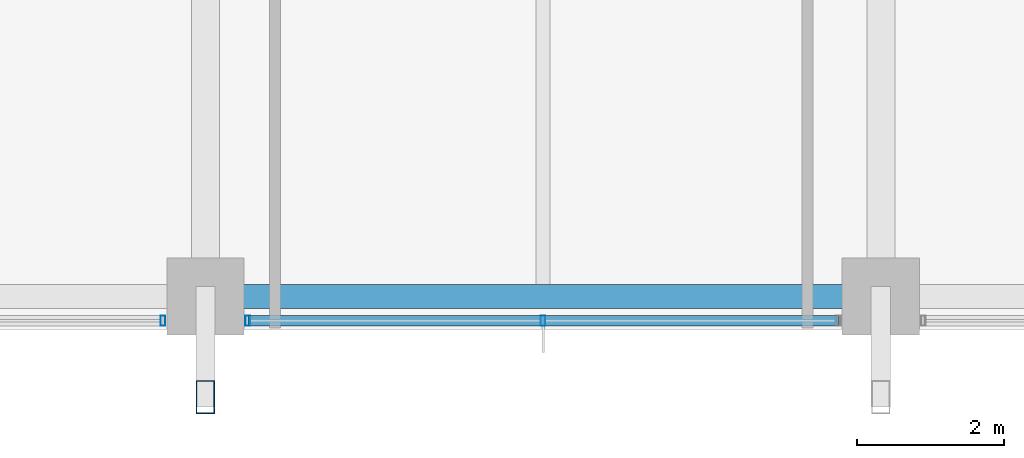
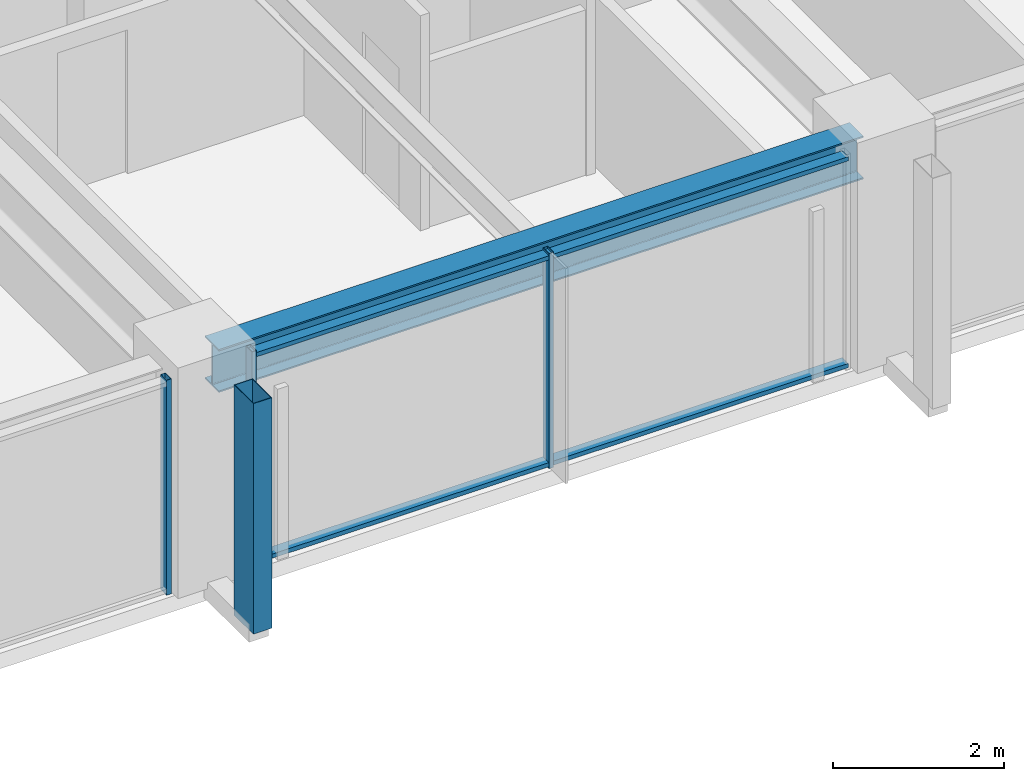
# One storey, part 4 of 37: 6 members, 1 beam, 2 elements without a shape of their own.
"""IFC4 building model written with IfcOpenShell, lengths in metres."""

from ifc_helpers import new_model, si_unit, direction, frame, origin, origin_2d, place, context, subcontext, project, spatial, hollow_rectangle, i_section, extrude, material, material_profile, profile_set, type_object, element, aggregate, save


model = new_model("IFC4")

# Units and contexts
model_context = context("Model", 3, precision=1e-05, world=origin(), true_north=direction((0.0, 1.0)))
body_context = subcontext(model_context, "Body", "Model", "MODEL_VIEW")
ifc_project = project(units=[si_unit("LENGTHUNIT", "METRE"), si_unit("AREAUNIT", "SQUARE_METRE"), si_unit("VOLUMEUNIT", "CUBIC_METRE"), si_unit("PLANEANGLEUNIT", "RADIAN"), si_unit("MASSUNIT", "GRAM", prefix="KILO")], contexts=[model_context])

# Site, building, storey
site_placement = place(None, origin())
site = spatial("IfcSite", under=ifc_project, at=site_placement, CompositionType="ELEMENT")
building_placement = place(site_placement, origin())
building = spatial("IfcBuilding", under=site, at=building_placement, Name="Kolvaren Belvedere", CompositionType="ELEMENT")
storey_placement = place(building_placement, frame((0.0, 0.0, 75.5)))
storey = spatial("IfcBuildingStorey", under=building, at=storey_placement, Name="L21", CompositionType="ELEMENT", Elevation=75.5)

# Beam
ifc_material_1 = material(Name="Structural steel ASTM A992 Grade 50", Category="steel")
ifc_material_profile_1 = material_profile(ifc_material_1, i_section(OverallWidth=0.324951171875, OverallDepth=0.615966796875, WebThickness=0.013916015625, FlangeThickness=0.021484375, FilletRadius=0.02001953125, at=origin_2d()), Name="W24X117")
ifc_profile_set_1 = profile_set([ifc_material_profile_1], Name="Structural steel ASTM A992 Grade 50")
beam_type = type_object("IfcBeamType", Name="BM-SPAN-W24X117", PredefinedType="SPANDREL", material=ifc_profile_set_1)
beam_placement = place(storey_placement, frame((-4.36376953125, -19.949951171875, 2.77197265625), z_axis=(1.0, 0.0, 0.0), x_axis=(0.0, 1.0, 0.0)))
element("IfcBeam", 1, at=beam_placement, inside=storey, type_object=beam_type, Name="L21 Perimeter Spandrel S2-S3", PredefinedType="SPANDREL", context=body_context, shape_type="SweptSolid", body=[
    extrude(i_section(OverallWidth=0.324951171875, OverallDepth=0.615966796875, WebThickness=0.013916015625, FlangeThickness=0.021484375, FilletRadius=0.02001953125, at=origin_2d()), origin(), (0.0, 0.0, 1.0), 8.7275390625),
])

# Curtain wall, members
ifc_material_2 = material(Name="Anodised pale-metal aluminium AA 6063-T6", Category="aluminium")
curtain_wall_type = type_object("IfcCurtainWallType", Name="CW-Z2-MID", PredefinedType="NOTDEFINED", material=ifc_material_2)
curtain_wall_1_placement = place(storey_placement, origin())
curtain_wall_1 = element("IfcCurtainWall", 2, at=curtain_wall_1_placement, inside=storey, type_object=curtain_wall_type, Name="L21 Unitised Curtain Wall FCW-L21-S-B2", PredefinedType="NOTDEFINED")
ifc_material_3 = material(Name="Anodised pale-metal aluminium AA 6063-T6", Category="aluminium")
ifc_material_profile_2 = material_profile(ifc_material_3, hollow_rectangle(XDim=0.06494140625, YDim=0.139892578125, WallThickness=0.00390625, at=origin_2d()), Name="ALU-MUL-140X65")
ifc_profile_set_2 = profile_set([ifc_material_profile_2], Name="Anodised pale-metal aluminium AA 6063-T6")
member_type_1 = type_object("IfcMemberType", Name="CW-MUL-140", PredefinedType="MULLION", material=ifc_profile_set_2)
member_1_placement = place(storey_placement, frame((0.0, -20.280029296875, 0.0), z_axis=(0.0, 0.0, 1.0), x_axis=(1.0, 0.0, 0.0)))
member_1 = element("IfcMember", 3, at=member_1_placement, type_object=member_type_1, Name="FCW-L21-S-B2 Unitised Mullion 2", PredefinedType="MULLION", context=body_context, shape_type="SweptSolid", body=[
    extrude(hollow_rectangle(XDim=0.06494140625, YDim=0.139892578125, WallThickness=0.00390625, at=origin_2d()), origin(), (0.0, 0.0, 1.0), 3.080078125),
])
member_2_placement = place(storey_placement, frame((-4.0224609375, -20.280029296875, 0.0), z_axis=(0.0, 0.0, 1.0), x_axis=(1.0, 0.0, 0.0)))
member_2 = element("IfcMember", 4, at=member_2_placement, type_object=member_type_1, Name="FCW-L21-S-B2 Unitised Mullion 3", PredefinedType="MULLION", context=body_context, shape_type="SweptSolid", body=[
    extrude(hollow_rectangle(XDim=0.06494140625, YDim=0.139892578125, WallThickness=0.00390625, at=origin_2d()), origin(), (0.0, 0.0, 1.0), 3.080078125),
])

# Curtain wall, member
curtain_wall_2_placement = place(storey_placement, origin())
curtain_wall_2 = element("IfcCurtainWall", 5, at=curtain_wall_2_placement, inside=storey, type_object=curtain_wall_type, Name="L21 Unitised Curtain Wall FCW-L21-S-B3", PredefinedType="NOTDEFINED")
member_3_placement = place(storey_placement, frame((-5.177490234375, -20.280029296875, 0.0), z_axis=(0.0, 0.0, 1.0), x_axis=(1.0, 0.0, 0.0)))
member_3 = element("IfcMember", 6, at=member_3_placement, type_object=member_type_1, Name="FCW-L21-S-B3 Unitised Mullion 1", PredefinedType="MULLION", context=body_context, shape_type="SweptSolid", body=[
    extrude(hollow_rectangle(XDim=0.06494140625, YDim=0.139892578125, WallThickness=0.00390625, at=origin_2d()), origin(), (0.0, 0.0, 1.0), 3.080078125),
])
aggregate(curtain_wall_2, [member_3])

# Member
ifc_material_4 = material(Name="Anodised pale-metal aluminium AA 6063-T6", Category="aluminium")
ifc_material_profile_3 = material_profile(ifc_material_4, hollow_rectangle(XDim=0.06005859375, YDim=0.139892578125, WallThickness=0.00390625, at=origin_2d()), Name="ALU-TRN-140X60")
ifc_profile_set_3 = profile_set([ifc_material_profile_3], Name="Anodised pale-metal aluminium AA 6063-T6")
member_type_2 = type_object("IfcMemberType", Name="CW-TRN-140", PredefinedType="USERDEFINED", material=ifc_profile_set_3)
member_4_placement = place(storey_placement, frame((4.0224609375, -20.280029296875, 0.06005859375), z_axis=(-1.0, 0.0, 0.0), x_axis=(0.0, 0.0, 1.0)))
member_4 = element("IfcMember", 7, at=member_4_placement, type_object=member_type_2, Name="FCW-L21-S-B2 Sill Transom", ObjectType="TRANSOM", PredefinedType="USERDEFINED", context=body_context, shape_type="SweptSolid", body=[
    extrude(hollow_rectangle(XDim=0.06005859375, YDim=0.139892578125, WallThickness=0.00390625, at=origin_2d()), origin(), (0.0, 0.0, 1.0), 8.044921875),
])

member_5_placement = place(storey_placement, frame((4.0224609375, -20.280029296875, 3.02001953125), z_axis=(-1.0, 0.0, 0.0), x_axis=(0.0, 0.0, 1.0)))
member_5 = element("IfcMember", 8, at=member_5_placement, type_object=member_type_2, Name="FCW-L21-S-B2 Head Transom", ObjectType="TRANSOM", PredefinedType="USERDEFINED", context=body_context, shape_type="SweptSolid", body=[
    extrude(hollow_rectangle(XDim=0.06005859375, YDim=0.139892578125, WallThickness=0.00390625, at=origin_2d()), origin(), (0.0, 0.0, 1.0), 8.044921875),
])

aggregate(curtain_wall_1, [member_1, member_2, member_4, member_5])

ifc_material_5 = material(Name="Anodised pale-metal aluminium AA 6063-T6", Category="aluminium")
ifc_material_profile_4 = material_profile(ifc_material_5, hollow_rectangle(XDim=0.25, YDim=0.449951171875, WallThickness=0.008544921875, at=origin_2d()), Name="ALU-PF-450X250")
ifc_profile_set_4 = profile_set([ifc_material_profile_4], Name="Anodised pale-metal aluminium AA 6063-T6")
member_type_3 = type_object("IfcMemberType", Name="PF-FRAME-450", PredefinedType="USERDEFINED", material=ifc_profile_set_4)
member_6_placement = place(storey_placement, frame((-4.60009765625, -21.320068359375, 0.0), z_axis=(0.0, 0.0, 1.0), x_axis=(1.0, 0.0, 0.0)))
element("IfcMember", 9, at=member_6_placement, inside=storey, type_object=member_type_3, Name="L21 Outboard Picture-Frame Vertical S2", ObjectType="PICTURE FRAME FIN", PredefinedType="USERDEFINED", context=body_context, shape_type="SweptSolid", body=[
    extrude(hollow_rectangle(XDim=0.25, YDim=0.449951171875, WallThickness=0.008544921875, at=origin_2d()), origin(), (0.0, 0.0, 1.0), 3.300048828125),
])

save(model, "model.ifc")
